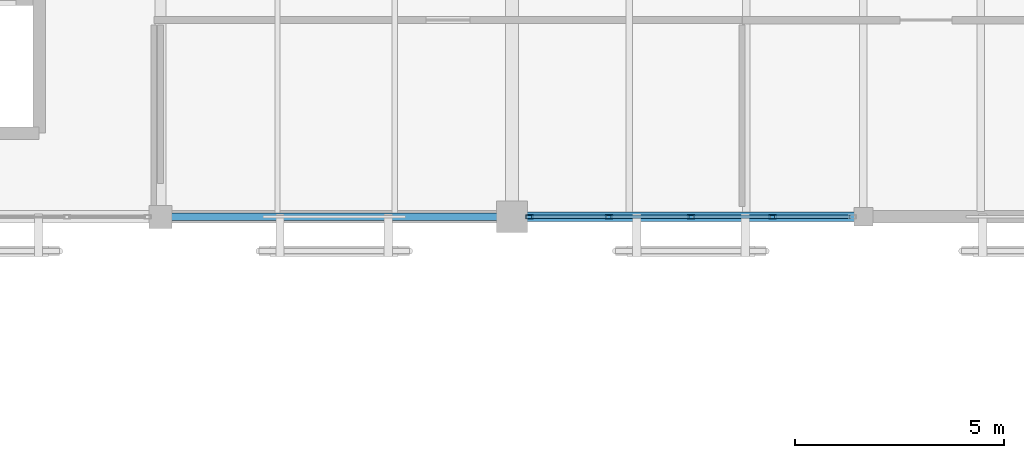
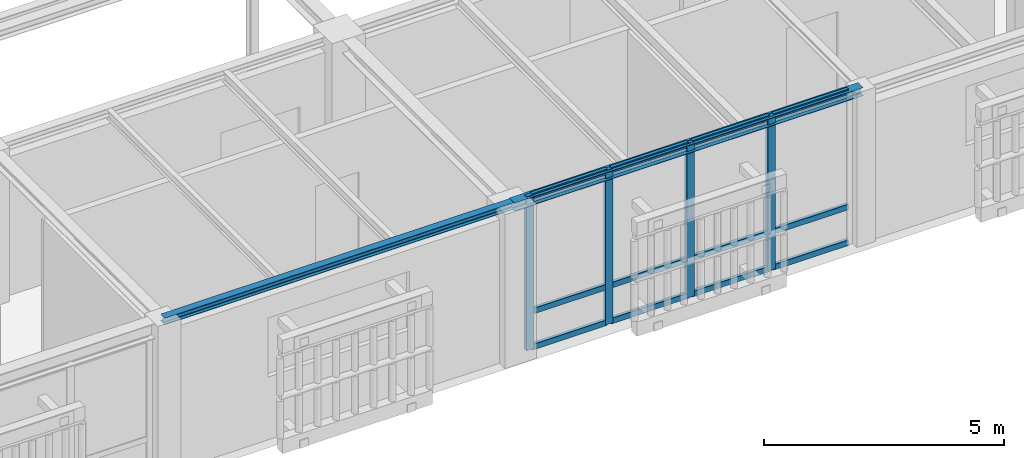
# One storey, part 74 of 170: 16 members, 2 beams, 1 element without a shape of its own.
"""IFC4 building model written with IfcOpenShell, lengths in metres."""

from ifc_helpers import new_model, si_unit, direction, frame, origin, origin_2d, place, context, subcontext, project, spatial, hollow_rectangle, i_section, extrude, material, layer, layer_set, material_profile, profile_set, type_object, element, aggregate, save


model = new_model("IFC4")

# Units and contexts
model_context = context("Model", 3, precision=1e-05, world=origin(), true_north=direction((0.0, 1.0)))
body_context = subcontext(model_context, "Body", "Model", "MODEL_VIEW")
ifc_project = project(units=[si_unit("LENGTHUNIT", "METRE"), si_unit("AREAUNIT", "SQUARE_METRE"), si_unit("VOLUMEUNIT", "CUBIC_METRE"), si_unit("PLANEANGLEUNIT", "RADIAN"), si_unit("MASSUNIT", "GRAM", prefix="KILO")], contexts=[model_context])

# Site, building, storey
site_placement = place(None, origin())
site = spatial("IfcSite", under=ifc_project, at=site_placement, CompositionType="ELEMENT")
building_placement = place(site_placement, origin())
building = spatial("IfcBuilding", under=site, at=building_placement, Name="Mazaris Harbour Polytechnic", CompositionType="ELEMENT")
storey_placement = place(building_placement, frame((0.0, 0.0, 5.39990234375)))
storey = spatial("IfcBuildingStorey", under=building, at=storey_placement, Name="L01", CompositionType="ELEMENT", Elevation=5.39990234375)

# Curtain wall, members
ifc_material_1 = material(Name="Anodised Bronze Aluminium and Low-E Glass", Category="aluminium")
ifc_layer = layer(ifc_material_1, 0.14990234375, Name="Anodised Bronze Aluminium and Low-E Glass")
ifc_layer_set = layer_set([ifc_layer], Name="Anodised Bronze Aluminium and Low-E Glass")
curtain_wall_type = type_object("IfcCurtainWallType", Name="Workshop Clerestory Curtain Wall", PredefinedType="NOTDEFINED", material=ifc_layer_set)
curtain_wall_placement = place(storey_placement, origin())
curtain_wall = element("IfcCurtainWall", 1, at=curtain_wall_placement, inside=storey, type_object=curtain_wall_type, Name="V1 L01 Curtain Wall 15", PredefinedType="NOTDEFINED")
ifc_material_2 = material(Name="Anodised Bronze Steel S355", Category="steel")
ifc_material_profile_1 = material_profile(ifc_material_2, hollow_rectangle(XDim=0.10009765625, YDim=0.179931640625, WallThickness=0.008056640625, at=origin_2d()), Name="RHS 100x180x8.0")
ifc_profile_set_1 = profile_set([ifc_material_profile_1], Name="Anodised Bronze Steel S355")
member_type_1 = type_object("IfcMemberType", Name="Curtain Mullion RHS100x180", PredefinedType="MULLION", material=ifc_profile_set_1)
member_1_placement = place(storey_placement, frame((93.8291015625, 75.60009765625, 0.0), z_axis=(0.0, 0.0, 1.0), x_axis=(0.0, -1.0, 0.0)))
member_1 = element("IfcMember", 2, at=member_1_placement, type_object=member_type_1, Name="CW-04 mullion 2", PredefinedType="MULLION", context=body_context, shape_type="SweptSolid", body=[
    extrude(hollow_rectangle(XDim=0.10009765625, YDim=0.179931640625, WallThickness=0.008056640625, at=origin_2d()), origin(), (0.0, 0.0, 1.0), 3.920166015625),
])
member_2_placement = place(storey_placement, frame((91.875, 75.60009765625, 0.0), z_axis=(0.0, 0.0, 1.0), x_axis=(0.0, -1.0, 0.0)))
member_2 = element("IfcMember", 3, at=member_2_placement, type_object=member_type_1, Name="CW-04 mullion 3", PredefinedType="MULLION", context=body_context, shape_type="SweptSolid", body=[
    extrude(hollow_rectangle(XDim=0.10009765625, YDim=0.179931640625, WallThickness=0.008056640625, at=origin_2d()), origin(), (0.0, 0.0, 1.0), 3.920166015625),
])
member_3_placement = place(storey_placement, frame((89.9208984375, 75.60009765625, 0.0), z_axis=(0.0, 0.0, 1.0), x_axis=(0.0, -1.0, 0.0)))
member_3 = element("IfcMember", 4, at=member_3_placement, type_object=member_type_1, Name="CW-04 mullion 4", PredefinedType="MULLION", context=body_context, shape_type="SweptSolid", body=[
    extrude(hollow_rectangle(XDim=0.10009765625, YDim=0.179931640625, WallThickness=0.008056640625, at=origin_2d()), origin(), (0.0, 0.0, 1.0), 3.920166015625),
])
member_4_placement = place(storey_placement, frame((88.01708984375, 75.60009765625, 0.0), z_axis=(0.0, 0.0, 1.0), x_axis=(0.0, -1.0, 0.0)))
member_4 = element("IfcMember", 5, at=member_4_placement, type_object=member_type_1, Name="CW-04 mullion 5", PredefinedType="MULLION", context=body_context, shape_type="SweptSolid", body=[
    extrude(hollow_rectangle(XDim=0.10009765625, YDim=0.179931640625, WallThickness=0.008056640625, at=origin_2d()), origin(), (0.0, 0.0, 1.0), 3.920166015625),
])
ifc_material_3 = material(Name="Anodised Bronze Steel S355", Category="steel")
ifc_material_profile_2 = material_profile(ifc_material_3, hollow_rectangle(XDim=0.080078125, YDim=0.139892578125, WallThickness=0.00634765625, at=origin_2d()), Name="RHS 80x140x6.3")
ifc_profile_set_2 = profile_set([ifc_material_profile_2], Name="Anodised Bronze Steel S355")
member_type_2 = type_object("IfcMemberType", Name="Curtain Transom RHS80x140", PredefinedType="USERDEFINED", material=ifc_profile_set_2)
member_5_placement = place(storey_placement, frame((95.68310546875, 75.60009765625, 0.0400390625), z_axis=(-1.0, 0.0, 0.0), x_axis=(0.0, -1.0, 0.0)))
member_5 = element("IfcMember", 6, at=member_5_placement, type_object=member_type_2, Name="CW-04 transom 1.1", ObjectType="TRANSOM", PredefinedType="USERDEFINED", context=body_context, shape_type="SweptSolid", body=[
    extrude(hollow_rectangle(XDim=0.080078125, YDim=0.139892578125, WallThickness=0.00634765625, at=origin_2d()), origin(), (0.0, 0.0, 1.0), 1.80419921875),
])
member_6_placement = place(storey_placement, frame((95.68310546875, 75.60009765625, 0.9501953125), z_axis=(-1.0, 0.0, 0.0), x_axis=(0.0, -1.0, 0.0)))
member_6 = element("IfcMember", 7, at=member_6_placement, type_object=member_type_2, Name="CW-04 transom 1.2", ObjectType="TRANSOM", PredefinedType="USERDEFINED", context=body_context, shape_type="SweptSolid", body=[
    extrude(hollow_rectangle(XDim=0.080078125, YDim=0.139892578125, WallThickness=0.00634765625, at=origin_2d()), origin(), (0.0, 0.0, 1.0), 1.80419921875),
])
member_7_placement = place(storey_placement, frame((95.68310546875, 75.60009765625, 3.880126953125), z_axis=(-1.0, 0.0, 0.0), x_axis=(0.0, -1.0, 0.0)))
member_7 = element("IfcMember", 8, at=member_7_placement, type_object=member_type_2, Name="CW-04 transom 1.3", ObjectType="TRANSOM", PredefinedType="USERDEFINED", context=body_context, shape_type="SweptSolid", body=[
    extrude(hollow_rectangle(XDim=0.080078125, YDim=0.139892578125, WallThickness=0.00634765625, at=origin_2d()), origin(), (0.0, 0.0, 1.0), 1.80419921875),
])
member_8_placement = place(storey_placement, frame((93.779052734375, 75.60009765625, 0.0400390625), z_axis=(-1.0, 0.0, 0.0), x_axis=(0.0, -1.0, 0.0)))
member_8 = element("IfcMember", 9, at=member_8_placement, type_object=member_type_2, Name="CW-04 transom 2.1", ObjectType="TRANSOM", PredefinedType="USERDEFINED", context=body_context, shape_type="SweptSolid", body=[
    extrude(hollow_rectangle(XDim=0.080078125, YDim=0.139892578125, WallThickness=0.00634765625, at=origin_2d()), origin(), (0.0, 0.0, 1.0), 1.85400390625),
])
member_9_placement = place(storey_placement, frame((93.779052734375, 75.60009765625, 0.9501953125), z_axis=(-1.0, 0.0, 0.0), x_axis=(0.0, -1.0, 0.0)))
member_9 = element("IfcMember", 10, at=member_9_placement, type_object=member_type_2, Name="CW-04 transom 2.2", ObjectType="TRANSOM", PredefinedType="USERDEFINED", context=body_context, shape_type="SweptSolid", body=[
    extrude(hollow_rectangle(XDim=0.080078125, YDim=0.139892578125, WallThickness=0.00634765625, at=origin_2d()), origin(), (0.0, 0.0, 1.0), 1.85400390625),
])
member_10_placement = place(storey_placement, frame((93.779052734375, 75.60009765625, 3.880126953125), z_axis=(-1.0, 0.0, 0.0), x_axis=(0.0, -1.0, 0.0)))
member_10 = element("IfcMember", 11, at=member_10_placement, type_object=member_type_2, Name="CW-04 transom 2.3", ObjectType="TRANSOM", PredefinedType="USERDEFINED", context=body_context, shape_type="SweptSolid", body=[
    extrude(hollow_rectangle(XDim=0.080078125, YDim=0.139892578125, WallThickness=0.00634765625, at=origin_2d()), origin(), (0.0, 0.0, 1.0), 1.85400390625),
])
member_11_placement = place(storey_placement, frame((91.824951171875, 75.60009765625, 0.0400390625), z_axis=(-1.0, 0.0, 0.0), x_axis=(0.0, -1.0, 0.0)))
member_11 = element("IfcMember", 12, at=member_11_placement, type_object=member_type_2, Name="CW-04 transom 3.1", ObjectType="TRANSOM", PredefinedType="USERDEFINED", context=body_context, shape_type="SweptSolid", body=[
    extrude(hollow_rectangle(XDim=0.080078125, YDim=0.139892578125, WallThickness=0.00634765625, at=origin_2d()), origin(), (0.0, 0.0, 1.0), 1.85400390625),
])
member_12_placement = place(storey_placement, frame((91.824951171875, 75.60009765625, 0.9501953125), z_axis=(-1.0, 0.0, 0.0), x_axis=(0.0, -1.0, 0.0)))
member_12 = element("IfcMember", 13, at=member_12_placement, type_object=member_type_2, Name="CW-04 transom 3.2", ObjectType="TRANSOM", PredefinedType="USERDEFINED", context=body_context, shape_type="SweptSolid", body=[
    extrude(hollow_rectangle(XDim=0.080078125, YDim=0.139892578125, WallThickness=0.00634765625, at=origin_2d()), origin(), (0.0, 0.0, 1.0), 1.85400390625),
])
member_13_placement = place(storey_placement, frame((91.824951171875, 75.60009765625, 3.880126953125), z_axis=(-1.0, 0.0, 0.0), x_axis=(0.0, -1.0, 0.0)))
member_13 = element("IfcMember", 14, at=member_13_placement, type_object=member_type_2, Name="CW-04 transom 3.3", ObjectType="TRANSOM", PredefinedType="USERDEFINED", context=body_context, shape_type="SweptSolid", body=[
    extrude(hollow_rectangle(XDim=0.080078125, YDim=0.139892578125, WallThickness=0.00634765625, at=origin_2d()), origin(), (0.0, 0.0, 1.0), 1.85400390625),
])
member_14_placement = place(storey_placement, frame((89.87109375, 75.60009765625, 0.0400390625), z_axis=(-1.0, 0.0, 0.0), x_axis=(0.0, -1.0, 0.0)))
member_14 = element("IfcMember", 15, at=member_14_placement, type_object=member_type_2, Name="CW-04 transom 4.1", ObjectType="TRANSOM", PredefinedType="USERDEFINED", context=body_context, shape_type="SweptSolid", body=[
    extrude(hollow_rectangle(XDim=0.080078125, YDim=0.139892578125, WallThickness=0.00634765625, at=origin_2d()), origin(), (0.0, 0.0, 1.0), 1.80419921875),
])
member_15_placement = place(storey_placement, frame((89.87109375, 75.60009765625, 0.9501953125), z_axis=(-1.0, 0.0, 0.0), x_axis=(0.0, -1.0, 0.0)))
member_15 = element("IfcMember", 16, at=member_15_placement, type_object=member_type_2, Name="CW-04 transom 4.2", ObjectType="TRANSOM", PredefinedType="USERDEFINED", context=body_context, shape_type="SweptSolid", body=[
    extrude(hollow_rectangle(XDim=0.080078125, YDim=0.139892578125, WallThickness=0.00634765625, at=origin_2d()), origin(), (0.0, 0.0, 1.0), 1.80419921875),
])
member_16_placement = place(storey_placement, frame((89.87109375, 75.60009765625, 3.880126953125), z_axis=(-1.0, 0.0, 0.0), x_axis=(0.0, -1.0, 0.0)))
member_16 = element("IfcMember", 17, at=member_16_placement, type_object=member_type_2, Name="CW-04 transom 4.3", ObjectType="TRANSOM", PredefinedType="USERDEFINED", context=body_context, shape_type="SweptSolid", body=[
    extrude(hollow_rectangle(XDim=0.080078125, YDim=0.139892578125, WallThickness=0.00634765625, at=origin_2d()), origin(), (0.0, 0.0, 1.0), 1.80419921875),
])
aggregate(curtain_wall, [member_1, member_2, member_3, member_4, member_5, member_6, member_7, member_8, member_9, member_10, member_11, member_12, member_13, member_14, member_15, member_16])

# Beams
ifc_material_4 = material(Name="Steel S355", Category="steel")
ifc_material_profile_3 = material_profile(ifc_material_4, i_section(OverallWidth=0.179931640625, OverallDepth=0.1708984375, WebThickness=0.006103515625, FlangeThickness=0.009521484375, FilletRadius=0.014892578125, at=origin_2d()), Name="HEA 180")
ifc_profile_set_3 = profile_set([ifc_material_profile_3], Name="Steel S355")
beam_type_1 = type_object("IfcBeamType", Name="Steel Beam HEA180 Exterior", PredefinedType="LINTEL", material=ifc_profile_set_3)
beam_1_placement = place(storey_placement, frame((79.199951171875, 75.60009765625, 3.834716796875), z_axis=(1.0, 0.0, 0.0), x_axis=(0.0, 1.0, 0.0)))
element("IfcBeam", 18, at=beam_1_placement, inside=storey, type_object=beam_type_1, Name="V1 L01 Girder 234", PredefinedType="LINTEL", context=body_context, shape_type="SweptSolid", body=[
    extrude(i_section(OverallWidth=0.179931640625, OverallDepth=0.1708984375, WebThickness=0.006103515625, FlangeThickness=0.009521484375, FilletRadius=0.014892578125, at=origin_2d()), origin(), (0.0, 0.0, 1.0), 8.400146484375),
])
ifc_material_5 = material(Name="Steel S355", Category="steel")
ifc_material_profile_4 = material_profile(ifc_material_5, i_section(OverallWidth=0.219970703125, OverallDepth=0.2099609375, WebThickness=0.007080078125, FlangeThickness=0.010986328125, FilletRadius=0.01806640625, at=origin_2d()), Name="HEA 220")
ifc_profile_set_4 = profile_set([ifc_material_profile_4], Name="Steel S355")
beam_type_2 = type_object("IfcBeamType", Name="Steel Beam HEA220 Exterior", PredefinedType="LINTEL", material=ifc_profile_set_4)
beam_2_placement = place(storey_placement, frame((87.60009765625, 75.60009765625, 3.815185546875), z_axis=(1.0, 0.0, 0.0), x_axis=(0.0, 1.0, 0.0)))
element("IfcBeam", 19, at=beam_2_placement, inside=storey, type_object=beam_type_2, Name="V1 L01 Girder 235", PredefinedType="LINTEL", context=body_context, shape_type="SweptSolid", body=[
    extrude(i_section(OverallWidth=0.219970703125, OverallDepth=0.2099609375, WebThickness=0.007080078125, FlangeThickness=0.010986328125, FilletRadius=0.01806640625, at=origin_2d()), origin(), (0.0, 0.0, 1.0), 8.39990234375),
])

save(model, "model.ifc")
